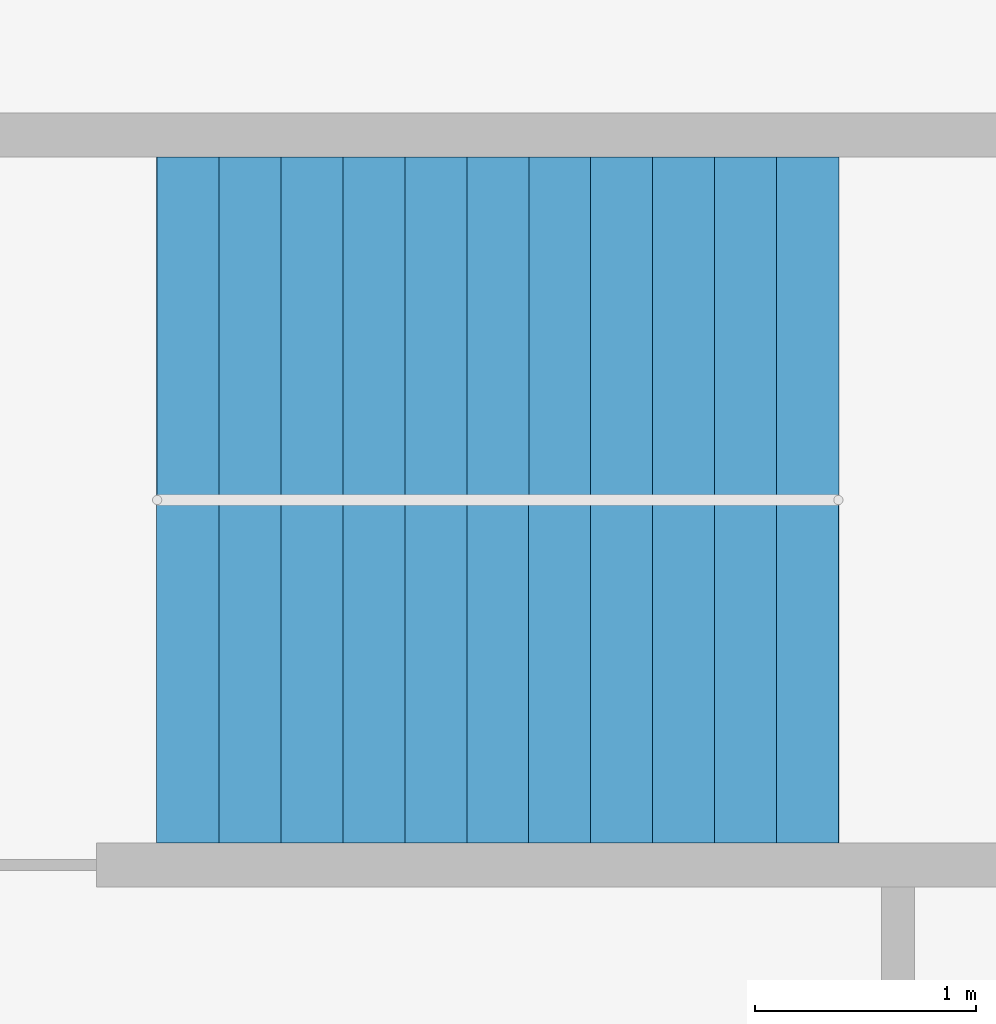
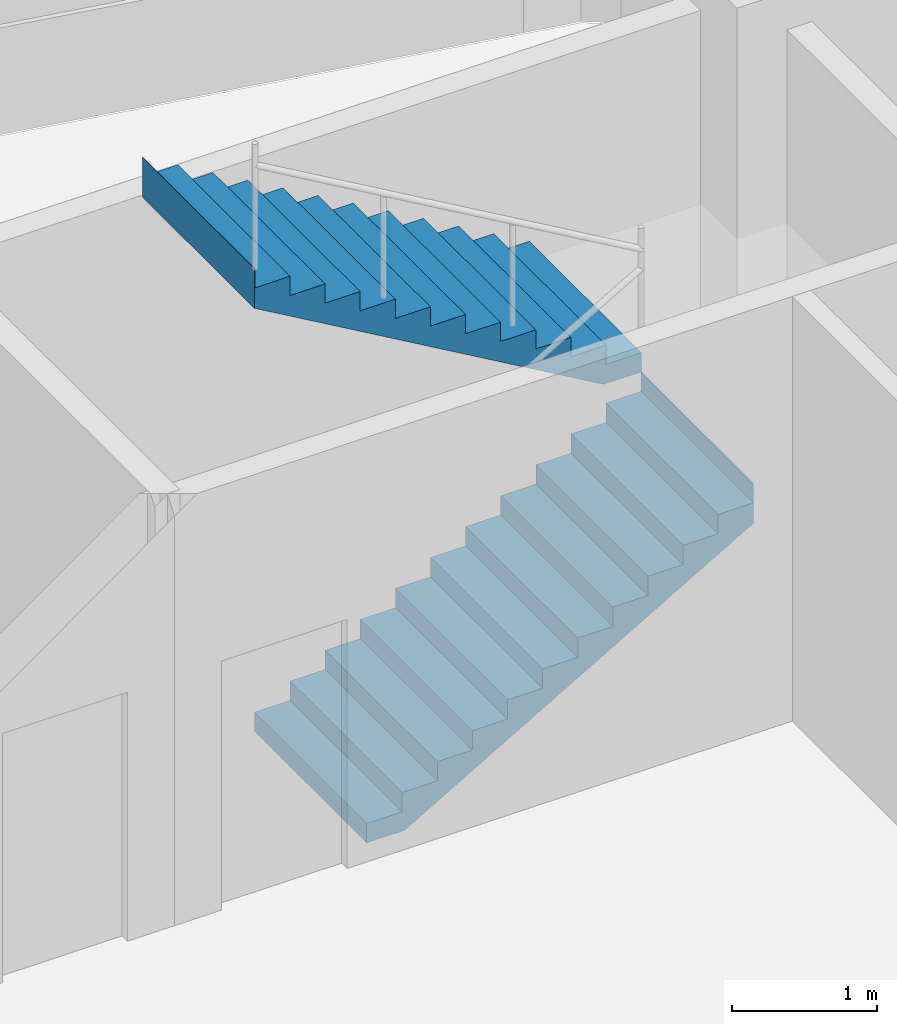
# One storey, part 8 of 10: 2 stair flights, 1 element without a shape of its own.
"""IFC4 building model written with IfcOpenShell, lengths in metres."""

from ifc_helpers import new_model, si_unit, direction, frame, origin, place, context, subcontext, project, spatial, polyline, outline, extrude, material, type_object, element, aggregate, save


model = new_model("IFC4")

# Units and contexts
model_context = context("Model", 3, precision=1e-05, world=origin(), true_north=direction((0.0, 1.0)))
body_context = subcontext(model_context, "Body", "Model", "MODEL_VIEW")
ifc_project = project(units=[si_unit("LENGTHUNIT", "METRE"), si_unit("AREAUNIT", "SQUARE_METRE"), si_unit("VOLUMEUNIT", "CUBIC_METRE"), si_unit("PLANEANGLEUNIT", "RADIAN"), si_unit("MASSUNIT", "GRAM", prefix="KILO")], contexts=[model_context])

# Site, building, storey
site_placement = place(None, origin())
site = spatial("IfcSite", under=ifc_project, at=site_placement, CompositionType="ELEMENT")
building_placement = place(site_placement, origin())
building = spatial("IfcBuilding", under=site, at=building_placement, Name="Qaws Garden Tower", CompositionType="ELEMENT")
storey_placement = place(building_placement, frame((0.0, 0.0, 54.89990234375)))
storey = spatial("IfcBuildingStorey", under=building, at=storey_placement, Name="L13", CompositionType="ELEMENT", Elevation=54.89990234375)

# Stair, stair flights
ifc_material_1 = material(Name="Concrete C40", Category="concrete")
stair_type = type_object("IfcStairType", Name="Exit stair 1350", PredefinedType="HALF_TURN_STAIR", material=ifc_material_1)
stair_placement = place(storey_placement, origin())
stair = element("IfcStair", 1, at=stair_placement, inside=storey, type_object=stair_type, Name="Stair 7", PredefinedType="HALF_TURN_STAIR")
ifc_material_2 = material(Name="Concrete C40", Category="concrete")
stair_flight_type = type_object("IfcStairFlightType", Name="Stair flight 1350", PredefinedType="STRAIGHT", material=ifc_material_2)
stair_flight_1_placement = place(storey_placement, frame((14.75, 67.375, 0.0), z_axis=(0.0, 0.0, 1.0), x_axis=(1.0, 0.0, 0.0)))
stair_flight_1 = element("IfcStairFlight", 2, at=stair_flight_1_placement, type_object=stair_flight_type, Name="ST7 flight 1", NumberOfRisers=12, NumberOfTreads=11, PredefinedType="STRAIGHT", RiserHeight=0.1625, TreadLength=0.28, context=body_context, shape_type="SweptSolid", body=[
    extrude(outline(polyline([(-0.0029296875, 0.0), (-0.0029296875, 0.16259765625), (0.0, 0.16259765625), (0.280029296875, 0.16259765625), (0.280029296875, 0.324951171875), (0.56005859375, 0.324951171875), (0.56005859375, 0.487548828125), (0.840087890625, 0.487548828125), (0.840087890625, 0.64990234375), (1.1201171875, 0.64990234375), (1.1201171875, 0.8125), (1.39990234375, 0.8125), (1.39990234375, 0.97509765625), (1.679931640625, 0.97509765625), (1.679931640625, 1.137451171875), (1.9599609375, 1.137451171875), (1.9599609375, 1.300048828125), (2.239990234375, 1.300048828125), (2.239990234375, 1.46240234375), (2.52001953125, 1.46240234375), (2.52001953125, 1.625), (2.800048828125, 1.625), (2.800048828125, 1.78759765625), (3.080078125, 1.78759765625), (3.080078125, 1.949951171875), (3.0830078125, 1.949951171875), (3.0830078125, 1.6142578125), (3.080078125, 1.6142578125), (0.298583984375, 0.0), (-0.0029296875, 0.0)])), frame((0.0, 0.77490234375, 0.0), z_axis=(0.0, -1.0, 0.0), x_axis=(1.0, 0.0, 0.0)), (0.0, 0.0, 1.0), 1.550048828125),
])
stair_flight_2_placement = place(storey_placement, frame((17.830078125, 68.925048828125, 1.9501953125), z_axis=(0.0, 0.0, 1.0), x_axis=(-1.0, 0.0, 0.0)))
stair_flight_2 = element("IfcStairFlight", 3, at=stair_flight_2_placement, type_object=stair_flight_type, Name="ST7 flight 2", NumberOfRisers=12, NumberOfTreads=11, PredefinedType="STRAIGHT", RiserHeight=0.1625, TreadLength=0.28, context=body_context, shape_type="SweptSolid", body=[
    extrude(outline(polyline([(-0.0029296875, 0.0), (-0.0029296875, 0.16259765625), (0.0, 0.16259765625), (0.280029296875, 0.16259765625), (0.280029296875, 0.324951171875), (0.56005859375, 0.324951171875), (0.56005859375, 0.487548828125), (0.840087890625, 0.487548828125), (0.840087890625, 0.64990234375), (1.1201171875, 0.64990234375), (1.1201171875, 0.8125), (1.39990234375, 0.8125), (1.39990234375, 0.97509765625), (1.679931640625, 0.97509765625), (1.679931640625, 1.137451171875), (1.9599609375, 1.137451171875), (1.9599609375, 1.300048828125), (2.239990234375, 1.300048828125), (2.239990234375, 1.46240234375), (2.52001953125, 1.46240234375), (2.52001953125, 1.625), (2.800048828125, 1.625), (2.800048828125, 1.78759765625), (3.080078125, 1.78759765625), (3.080078125, 1.949951171875), (3.0830078125, 1.949951171875), (3.0830078125, 1.6142578125), (3.080078125, 1.6142578125), (0.298583984375, 0.0), (-0.0029296875, 0.0)])), frame((0.0, 0.77490234375, 0.0), z_axis=(0.0, -1.0, 0.0), x_axis=(1.0, 0.0, 0.0)), (0.0, 0.0, 1.0), 1.550048828125),
])
aggregate(stair, [stair_flight_1, stair_flight_2])

save(model, "model.ifc")
